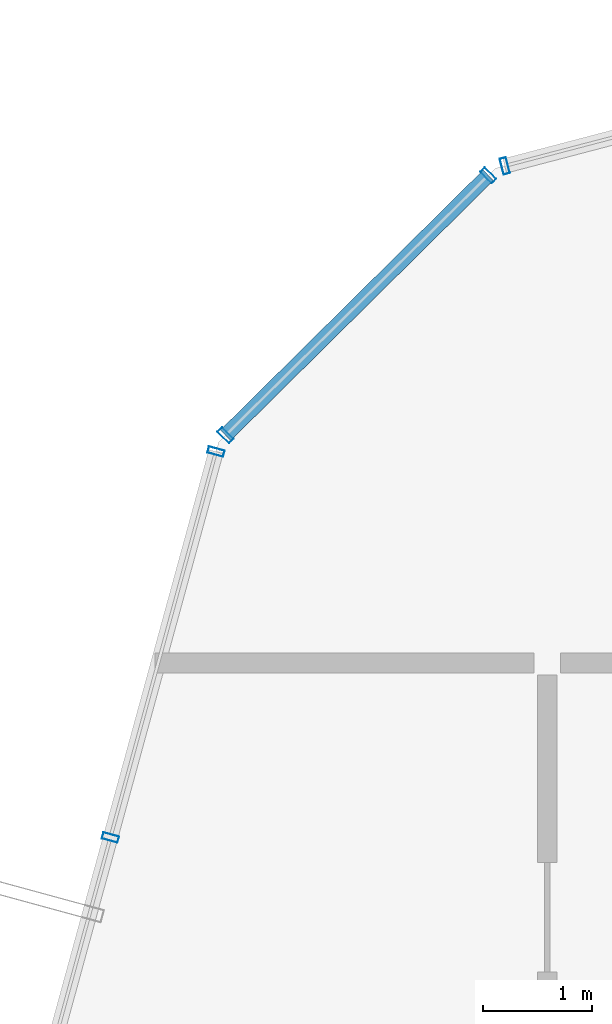
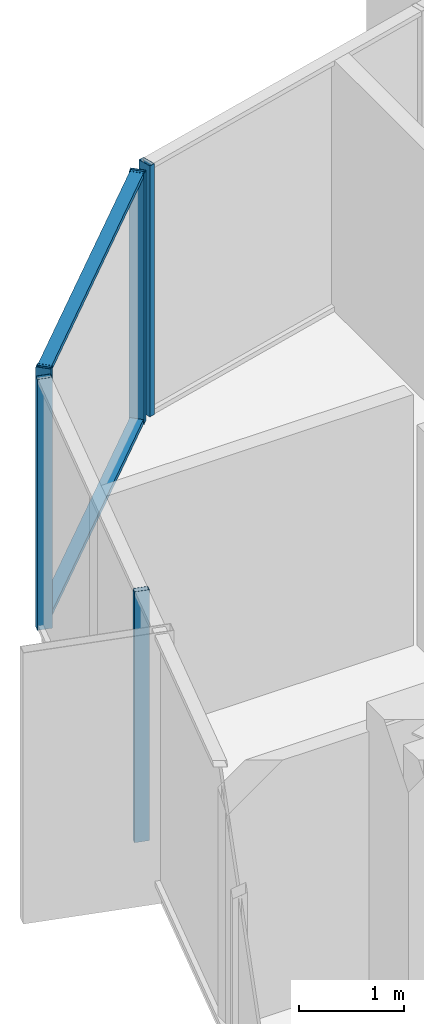
# One storey, part 14 of 29: 7 members, 3 elements without a shape of their own.
"""IFC4 building model written with IfcOpenShell, lengths in metres."""

from ifc_helpers import new_model, si_unit, direction, frame, origin, origin_2d, place, context, subcontext, project, spatial, hollow_rectangle, extrude, source, transform, mapped, material, layer, layer_set, material_profile, profile_set, type_object, element, aggregate, save


model = new_model("IFC4")

# Units and contexts
model_context = context("Model", 3, precision=1e-05, world=origin(), true_north=direction((0.0, 1.0)))
body_context = subcontext(model_context, "Body", "Model", "MODEL_VIEW")
ifc_project = project(units=[si_unit("LENGTHUNIT", "METRE"), si_unit("AREAUNIT", "SQUARE_METRE"), si_unit("VOLUMEUNIT", "CUBIC_METRE"), si_unit("PLANEANGLEUNIT", "RADIAN"), si_unit("MASSUNIT", "GRAM", prefix="KILO")], contexts=[model_context])

# Site, building, storey
site_placement = place(None, origin())
site = spatial("IfcSite", under=ifc_project, at=site_placement, CompositionType="ELEMENT")
building_placement = place(site_placement, origin())
building = spatial("IfcBuilding", under=site, at=building_placement, Name="Veraguas Prism Commons", CompositionType="ELEMENT")
storey_placement = place(building_placement, frame((0.0, 0.0, 261.0)))
storey = spatial("IfcBuildingStorey", under=building, at=storey_placement, Name="L74", CompositionType="ELEMENT", Elevation=261.0)

# Curtain wall, members
ifc_material = material(Name="Anodised aluminium EN AW-6063 T6", Category="aluminium")
ifc_layer = layer(ifc_material, 0.14990234375, Name="Unitised Flush Curtain Wall Zone 4", Category="aluminium")
ifc_layer_set = layer_set([ifc_layer], Name="Anodised aluminium EN AW-6063 T6")
curtain_wall_type = type_object("IfcCurtainWallType", Name="Unitised Flush Curtain Wall Zone 4", PredefinedType="NOTDEFINED", material=ifc_layer_set)
curtain_wall_1_placement = place(storey_placement, origin())
curtain_wall_1 = element("IfcCurtainWall", 1, at=curtain_wall_1_placement, inside=storey, type_object=curtain_wall_type, Name="Chamfer Curtain Wall L74-C3", PredefinedType="NOTDEFINED")
ifc_material_profile_1 = material_profile(ifc_material, hollow_rectangle(XDim=0.054931640625, YDim=0.135009765625, WallThickness=0.0029296875, at=origin_2d()), Name="AL55X135X3")
ifc_profile_set_1 = profile_set([ifc_material_profile_1], Name="Anodised aluminium EN AW-6063 T6")
member_type_1 = type_object("IfcMemberType", Name="Curtain Wall Transom Standard AL 55x135x3", PredefinedType="USERDEFINED", material=ifc_profile_set_1)
shared_shape_1 = source(origin(), body_context, "Body", "SweptSolid", [
    extrude(hollow_rectangle(XDim=0.054931640625, YDim=0.135009765625, WallThickness=0.0029296875, at=origin_2d()), origin(), (0.0, 0.0, 1.0), 3.382568359375),
])
member_1_placement = place(storey_placement, frame((12.56103515625, 37.9638671875, 0.027587890625), z_axis=(-0.710814205159, -0.703379816133, 0.0), x_axis=(0.0, 0.0, 1.0)))
member_1 = element("IfcMember", 2, at=member_1_placement, type_object=member_type_1, Name="CW-Z4 Transom 1", ObjectType="TRANSOM", PredefinedType="USERDEFINED", context=body_context, shape_type="MappedRepresentation", body=[
    mapped(shared_shape_1, transform((0.0, 0.0, 0.0), scale=1.0)),
])
member_2_placement = place(storey_placement, frame((12.56103515625, 37.9638671875, 2.902587890625), z_axis=(-0.710814205159, -0.703379816133, 0.0), x_axis=(0.0, 0.0, 1.0)))
member_2 = element("IfcMember", 3, at=member_2_placement, type_object=member_type_1, Name="CW-Z4 Transom 2", ObjectType="TRANSOM", PredefinedType="USERDEFINED", context=body_context, shape_type="MappedRepresentation", body=[
    mapped(shared_shape_1, transform((0.0, 0.0, 0.0), scale=1.0)),
])

# Curtain wall, member
curtain_wall_2_placement = place(storey_placement, origin())
curtain_wall_2 = element("IfcCurtainWall", 4, at=curtain_wall_2_placement, inside=storey, type_object=curtain_wall_type, Name="Tower Facade Curtain Wall L74-F2", PredefinedType="NOTDEFINED")
ifc_material_profile_2 = material_profile(ifc_material, hollow_rectangle(XDim=0.06005859375, YDim=0.14990234375, WallThickness=0.0029296875, at=origin_2d()), Name="AL60X150X3")
ifc_profile_set_2 = profile_set([ifc_material_profile_2], Name="Anodised aluminium EN AW-6063 T6")
member_type_2 = type_object("IfcMemberType", Name="Curtain Wall Mullion Upper AL 60x150x3", PredefinedType="MULLION", material=ifc_profile_set_2)
shared_shape_2 = source(origin(), body_context, "Body", "SweptSolid", [
    extrude(hollow_rectangle(XDim=0.06005859375, YDim=0.14990234375, WallThickness=0.0029296875, at=origin_2d()), origin(), (0.0, 0.0, 1.0), 2.929931640625),
])
member_3_placement = place(storey_placement, frame((12.7119140625, 38.0498046875, 0.0), z_axis=(0.0, 0.0, 1.0), x_axis=(-0.967265981188, -0.253764697381, 0.0)))
member_3 = element("IfcMember", 5, at=member_3_placement, type_object=member_type_2, Name="CW-Z4 Mullion 5", PredefinedType="MULLION", context=body_context, shape_type="MappedRepresentation", body=[
    mapped(shared_shape_2, transform((0.0, 0.0, 0.0), scale=1.0)),
])
aggregate(curtain_wall_2, [member_3])

# Curtain wall, members
curtain_wall_3_placement = place(storey_placement, origin())
curtain_wall_3 = element("IfcCurtainWall", 6, at=curtain_wall_3_placement, inside=storey, type_object=curtain_wall_type, Name="Tower Facade Curtain Wall L74-F3", PredefinedType="NOTDEFINED")
member_4_placement = place(storey_placement, frame((10.069091796875, 35.4345703125, 0.0), z_axis=(0.0, 0.0, 1.0), x_axis=(-0.263883150773, -0.964554655133, 0.0)))
member_4 = element("IfcMember", 7, at=member_4_placement, type_object=member_type_2, Name="CW-Z4 Mullion 1", PredefinedType="MULLION", context=body_context, shape_type="MappedRepresentation", body=[
    mapped(shared_shape_2, transform((0.0, 0.0, 0.0), scale=1.0)),
])
member_5_placement = place(storey_placement, frame((9.102783203125, 31.902587890625, 0.0), z_axis=(0.0, 0.0, 1.0), x_axis=(-0.263883150773, -0.964554655133, 0.0)))
member_5 = element("IfcMember", 8, at=member_5_placement, type_object=member_type_2, Name="CW-Z4 Mullion 2", PredefinedType="MULLION", context=body_context, shape_type="MappedRepresentation", body=[
    mapped(shared_shape_2, transform((0.0, 0.0, 0.0), scale=1.0)),
])
aggregate(curtain_wall_3, [member_4, member_5])

# Member
member_6_placement = place(storey_placement, frame((12.56103515625, 37.9638671875, 0.0), z_axis=(0.0, 0.0, 1.0), x_axis=(-0.71081543321, -0.703378575101, 0.0)))
member_6 = element("IfcMember", 9, at=member_6_placement, type_object=member_type_2, Name="CW-Z4 Mullion 1", PredefinedType="MULLION", context=body_context, shape_type="MappedRepresentation", body=[
    mapped(shared_shape_2, transform((0.0, 0.0, 0.0), scale=1.0)),
])

member_7_placement = place(storey_placement, frame((10.15673828125, 35.584716796875, 0.0), z_axis=(0.0, 0.0, 1.0), x_axis=(-0.71081543321, -0.703378575101, 0.0)))
member_7 = element("IfcMember", 10, at=member_7_placement, type_object=member_type_2, Name="CW-Z4 Mullion 2", PredefinedType="MULLION", context=body_context, shape_type="MappedRepresentation", body=[
    mapped(shared_shape_2, transform((0.0, 0.0, 0.0), scale=1.0)),
])

aggregate(curtain_wall_1, [member_6, member_7, member_1, member_2])

save(model, "model.ifc")
